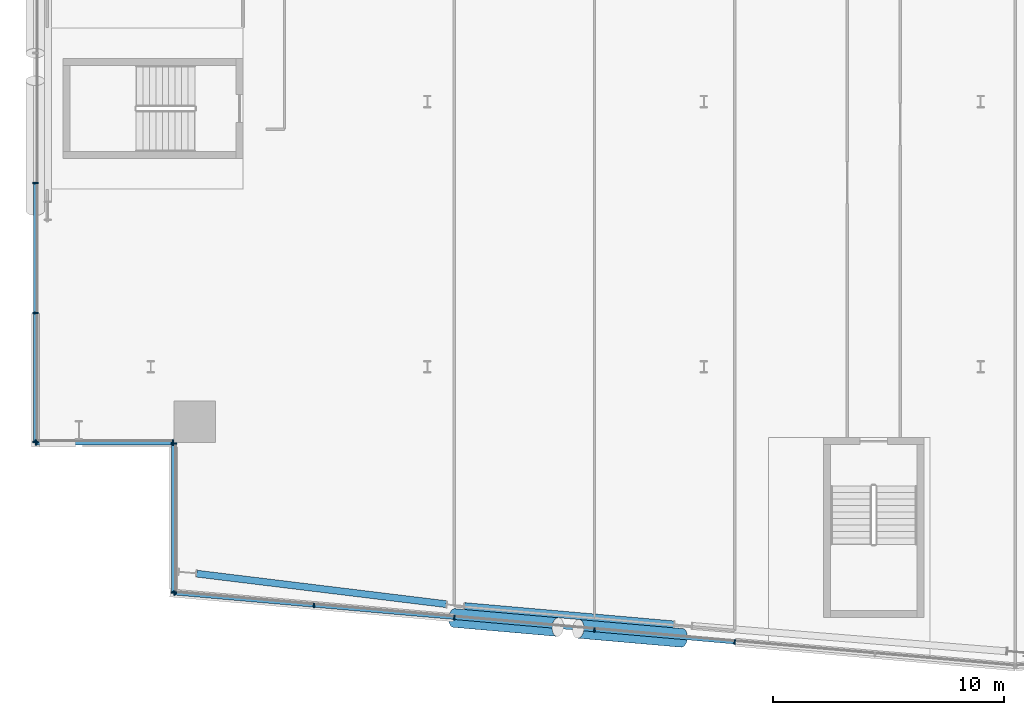
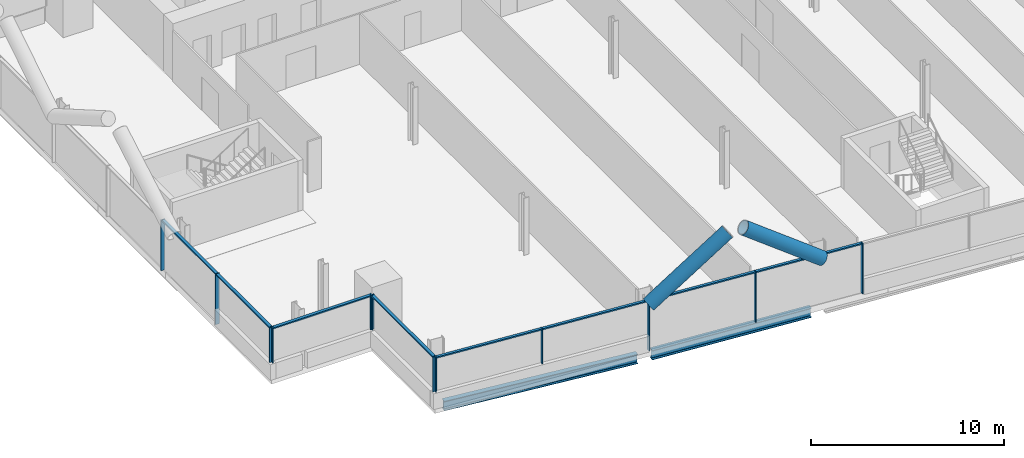
# One storey, part 5 of 25: 22 members, 2 beams, 4 elements without a shape of their own.
"""IFC4 building model written with IfcOpenShell, lengths in metres."""

from ifc_helpers import new_model, si_unit, direction, frame, origin, origin_2d, place, context, subcontext, project, spatial, rectangle, hollow_circle, i_section, extrude, material, material_profile, profile_set, type_object, element, aggregate, save


model = new_model("IFC4")

# Units and contexts
model_context = context("Model", 3, precision=1e-05, world=origin(), true_north=direction((0.0, 1.0)))
body_context = subcontext(model_context, "Body", "Model", "MODEL_VIEW")
ifc_project = project(units=[si_unit("LENGTHUNIT", "METRE"), si_unit("AREAUNIT", "SQUARE_METRE"), si_unit("VOLUMEUNIT", "CUBIC_METRE"), si_unit("PLANEANGLEUNIT", "RADIAN"), si_unit("MASSUNIT", "GRAM", prefix="KILO")], contexts=[model_context])

# Site, building, storey
site_placement = place(None, origin())
site = spatial("IfcSite", under=ifc_project, at=site_placement, CompositionType="ELEMENT")
building_placement = place(site_placement, origin())
building = spatial("IfcBuilding", under=site, at=building_placement, Name="Wharfspan Tower", CompositionType="ELEMENT")
storey_placement = place(building_placement, frame((0.0, 0.0, 121.899902)))
storey = spatial("IfcBuildingStorey", under=building, at=storey_placement, Name="L28", CompositionType="ELEMENT", Elevation=121.899902)

# Beams
ifc_material_1 = material(Name="Steel S355J2", Category="steel")
ifc_material_profile_1 = material_profile(ifc_material_1, i_section(OverallWidth=0.300049, OverallDepth=0.600098, WebThickness=0.015381, FlangeThickness=0.030029, FilletRadius=0.0271, at=origin_2d()))
ifc_profile_set_1 = profile_set([ifc_material_profile_1], Name="Steel S355J2")
beam_type = type_object("IfcBeamType", Name="Edge beam HEB 600", PredefinedType="SPANDREL", material=ifc_profile_set_1)
beam_1_placement = place(storey_placement, frame((13.990967, 2.520508, -0.699951), z_axis=(0.992611, -0.121342, 0.0), x_axis=(0.121342, 0.992611, 0.0)))
element("IfcBeam", 1, at=beam_1_placement, inside=storey, type_object=beam_type, Name="Edge beam S1 L28 PS1.1 to PS1.2", PredefinedType="SPANDREL", context=body_context, shape_type="SweptSolid", body=[
    extrude(i_section(OverallWidth=0.300049, OverallDepth=0.600098, WebThickness=0.015381, FlangeThickness=0.030029, FilletRadius=0.0271, at=origin_2d()), origin(), (0.0, 0.0, 1.0), 10.903076),
])
beam_2_placement = place(storey_placement, frame((25.615234, 1.113525, -0.699951), z_axis=(0.996195, -0.087151, 0.0), x_axis=(0.087151, 0.996195, 0.0)))
element("IfcBeam", 2, at=beam_2_placement, inside=storey, type_object=beam_type, Name="Edge beam S1 L28 PS1.2 to PS1.3", PredefinedType="SPANDREL", context=body_context, shape_type="SweptSolid", body=[
    extrude(i_section(OverallWidth=0.300049, OverallDepth=0.600098, WebThickness=0.015381, FlangeThickness=0.030029, FilletRadius=0.0271, at=origin_2d()), origin(), (0.0, 0.0, 1.0), 9.107178),
])

# Curtain wall, members
ifc_material_2 = material(Name="Aluminium 6063-T6", Category="aluminium")
curtain_wall_type_1 = type_object("IfcCurtainWallType", Name="CURTAIN WALL FACETED FRONT", PredefinedType="NOTDEFINED", material=ifc_material_2)
curtain_wall_1_placement = place(storey_placement, origin())
curtain_wall_1 = element("IfcCurtainWall", 3, at=curtain_wall_1_placement, inside=storey, type_object=curtain_wall_type_1, Name="Curtain wall S1", PredefinedType="NOTDEFINED")
ifc_material_profile_2 = material_profile(ifc_material_2, rectangle(XDim=0.199951, YDim=0.060059, at=origin_2d()))
ifc_profile_set_2 = profile_set([ifc_material_profile_2], Name="Aluminium 6063-T6")
member_type_1 = type_object("IfcMemberType", Name="MULLION FACETED FRONT 60x200", PredefinedType="MULLION", material=ifc_profile_set_2)
member_1_placement = place(storey_placement, frame((13.029785, 1.672363, 1.0), z_axis=(0.0, 0.0, 1.0), x_axis=(0.087156, 0.996198, 0.0)))
member_1 = element("IfcMember", 4, at=member_1_placement, type_object=member_type_1, Name="Curtain wall S1 mullion 1", PredefinedType="MULLION", context=body_context, shape_type="SweptSolid", body=[
    extrude(rectangle(XDim=0.199951, YDim=0.060059, at=origin_2d()), origin(), (0.0, 0.0, 1.0), 2.200195),
])
member_2_placement = place(storey_placement, frame((19.083252, 1.142822, 1.0), z_axis=(0.0, 0.0, 1.0), x_axis=(0.087156, 0.996198, 0.0)))
member_2 = element("IfcMember", 5, at=member_2_placement, type_object=member_type_1, Name="Curtain wall S1 mullion 2", PredefinedType="MULLION", context=body_context, shape_type="SweptSolid", body=[
    extrude(rectangle(XDim=0.199951, YDim=0.060059, at=origin_2d()), origin(), (0.0, 0.0, 1.0), 2.200195),
])
member_3_placement = place(storey_placement, frame((25.166748, 0.610596, 0.0), z_axis=(0.0, 0.0, 1.0), x_axis=(0.087156, 0.996198, 0.0)))
member_3 = element("IfcMember", 6, at=member_3_placement, type_object=member_type_1, Name="Curtain wall S1 mullion 3", PredefinedType="MULLION", context=body_context, shape_type="SweptSolid", body=[
    extrude(rectangle(XDim=0.199951, YDim=0.060059, at=origin_2d()), origin(), (0.0, 0.0, 1.0), 3.200195),
])
member_4_placement = place(storey_placement, frame((31.25, 0.078369, 0.0), z_axis=(0.0, 0.0, 1.0), x_axis=(0.087156, 0.996198, 0.0)))
member_4 = element("IfcMember", 7, at=member_4_placement, type_object=member_type_1, Name="Curtain wall S1 mullion 4", PredefinedType="MULLION", context=body_context, shape_type="SweptSolid", body=[
    extrude(rectangle(XDim=0.199951, YDim=0.060059, at=origin_2d()), origin(), (0.0, 0.0, 1.0), 3.200195),
])
member_5_placement = place(storey_placement, frame((37.333252, -0.453857, 0.0), z_axis=(0.0, 0.0, 1.0), x_axis=(0.087156, 0.996198, 0.0)))
member_5 = element("IfcMember", 8, at=member_5_placement, type_object=member_type_1, Name="Curtain wall S1 mullion 5", PredefinedType="MULLION", context=body_context, shape_type="SweptSolid", body=[
    extrude(rectangle(XDim=0.199951, YDim=0.060059, at=origin_2d()), origin(), (0.0, 0.0, 1.0), 3.200195),
])

curtain_wall_type_2 = type_object("IfcCurtainWallType", Name="CURTAIN WALL PROW AND END", PredefinedType="NOTDEFINED", material=ifc_material_2)
curtain_wall_2_placement = place(storey_placement, origin())
curtain_wall_2 = element("IfcCurtainWall", 9, at=curtain_wall_2_placement, inside=storey, type_object=curtain_wall_type_2, Name="Curtain wall W", PredefinedType="NOTDEFINED")
ifc_material_profile_3 = material_profile(ifc_material_2, rectangle(XDim=0.23999, YDim=0.060059, at=origin_2d()))
ifc_profile_set_3 = profile_set([ifc_material_profile_3], Name="Aluminium 6063-T6")
member_type_2 = type_object("IfcMemberType", Name="MULLION PROW AND END 60x240", PredefinedType="MULLION", material=ifc_profile_set_3)
member_6_placement = place(storey_placement, frame((7.0, 19.466553, 0.0), z_axis=(0.0, 0.0, 1.0), x_axis=(1.0, 0.0, 0.0)))
member_6 = element("IfcMember", 10, at=member_6_placement, type_object=member_type_2, Name="Curtain wall W mullion 5", PredefinedType="MULLION", context=body_context, shape_type="SweptSolid", body=[
    extrude(rectangle(XDim=0.23999, YDim=0.060059, at=origin_2d()), origin(), (0.0, 0.0, 1.0), 3.200195),
])
member_7_placement = place(storey_placement, frame((7.0, 13.833252, 0.0), z_axis=(0.0, 0.0, 1.0), x_axis=(1.0, 0.0, 0.0)))
member_7 = element("IfcMember", 11, at=member_7_placement, type_object=member_type_2, Name="Curtain wall W mullion 6", PredefinedType="MULLION", context=body_context, shape_type="SweptSolid", body=[
    extrude(rectangle(XDim=0.23999, YDim=0.060059, at=origin_2d()), origin(), (0.0, 0.0, 1.0), 3.200195),
])
member_8_placement = place(storey_placement, frame((7.0, 8.22998, 1.0), z_axis=(0.0, 0.0, 1.0), x_axis=(1.0, 0.0, 0.0)))
member_8 = element("IfcMember", 12, at=member_8_placement, type_object=member_type_2, Name="Curtain wall W mullion 7", PredefinedType="MULLION", context=body_context, shape_type="SweptSolid", body=[
    extrude(rectangle(XDim=0.23999, YDim=0.060059, at=origin_2d()), origin(), (0.0, 0.0, 1.0), 2.200195),
])

curtain_wall_3_placement = place(storey_placement, origin())
curtain_wall_3 = element("IfcCurtainWall", 13, at=curtain_wall_3_placement, inside=storey, type_object=curtain_wall_type_2, Name="Curtain wall NFW-H", PredefinedType="NOTDEFINED")
member_9_placement = place(storey_placement, frame((7.030029, 8.199951, 1.0), z_axis=(0.0, 0.0, 1.0), x_axis=(0.0, 1.0, 0.0)))
member_9 = element("IfcMember", 14, at=member_9_placement, type_object=member_type_2, Name="Curtain wall NFW-H mullion 1", PredefinedType="MULLION", context=body_context, shape_type="SweptSolid", body=[
    extrude(rectangle(XDim=0.23999, YDim=0.060059, at=origin_2d()), origin(), (0.0, 0.0, 1.0), 2.200195),
])
member_10_placement = place(storey_placement, frame((12.969971, 8.199951, 1.0), z_axis=(0.0, 0.0, 1.0), x_axis=(0.0, 1.0, 0.0)))
member_10 = element("IfcMember", 15, at=member_10_placement, type_object=member_type_2, Name="Curtain wall NFW-H mullion 2", PredefinedType="MULLION", context=body_context, shape_type="SweptSolid", body=[
    extrude(rectangle(XDim=0.23999, YDim=0.060059, at=origin_2d()), origin(), (0.0, 0.0, 1.0), 2.200195),
])

curtain_wall_4_placement = place(storey_placement, origin())
curtain_wall_4 = element("IfcCurtainWall", 16, at=curtain_wall_4_placement, inside=storey, type_object=curtain_wall_type_2, Name="Curtain wall NFW-V", PredefinedType="NOTDEFINED")
member_11_placement = place(storey_placement, frame((13.0, 8.169922, 1.0), z_axis=(0.0, 0.0, 1.0), x_axis=(1.0, 0.0, 0.0)))
member_11 = element("IfcMember", 17, at=member_11_placement, type_object=member_type_2, Name="Curtain wall NFW-V mullion 1", PredefinedType="MULLION", context=body_context, shape_type="SweptSolid", body=[
    extrude(rectangle(XDim=0.23999, YDim=0.060059, at=origin_2d()), origin(), (0.0, 0.0, 1.0), 2.200195),
])
member_12_placement = place(storey_placement, frame((13.0, 1.705078, 1.0), z_axis=(0.0, 0.0, 1.0), x_axis=(1.0, 0.0, 0.0)))
member_12 = element("IfcMember", 18, at=member_12_placement, type_object=member_type_2, Name="Curtain wall NFW-V mullion 2", PredefinedType="MULLION", context=body_context, shape_type="SweptSolid", body=[
    extrude(rectangle(XDim=0.23999, YDim=0.060059, at=origin_2d()), origin(), (0.0, 0.0, 1.0), 2.200195),
])

# Members
ifc_material_3 = material(Name="Steel S460NH", Category="steel")
ifc_material_profile_4 = material_profile(ifc_material_3, hollow_circle(Radius=0.406494, WallThickness=0.040039, at=origin_2d()))
ifc_profile_set_4 = profile_set([ifc_material_profile_4], Name="Steel S460NH")
member_type_3 = type_object("IfcMemberType", Name="Mega brace CHS 813x40", PredefinedType="BRACE", material=ifc_profile_set_4)
member_13_placement = place(storey_placement, frame((25.165283, 0.595703, 2.900146), z_axis=(0.806051, -0.070528, 0.587629), x_axis=(0.087168, 0.996193, -4e-06)))
element("IfcMember", 19, at=member_13_placement, inside=storey, type_object=member_type_3, Name="Mega brace S1 L29 part 1", PredefinedType="BRACE", context=body_context, shape_type="SweptSolid", body=[
    extrude(hollow_circle(Radius=0.406494, WallThickness=0.040039, at=origin_2d()), origin(), (0.0, 0.0, 1.0), 5.569824),
])
member_14_placement = place(storey_placement, frame((35.040771, -0.268311, 2.900146), z_axis=(-0.806035, 0.07053, 0.58765), x_axis=(-0.087168, -0.996195, 2e-06)))
element("IfcMember", 20, at=member_14_placement, inside=storey, type_object=member_type_3, Name="Mega brace S1 L29 part 3", PredefinedType="BRACE", context=body_context, shape_type="SweptSolid", body=[
    extrude(hollow_circle(Radius=0.406494, WallThickness=0.040039, at=origin_2d()), origin(), (0.0, 0.0, 1.0), 5.56958),
])

# Member
ifc_material_profile_5 = material_profile(ifc_material_2, rectangle(XDim=0.159912, YDim=0.080078, at=origin_2d()))
ifc_profile_set_5 = profile_set([ifc_material_profile_5], Name="Aluminium 6063-T6")
member_type_4 = type_object("IfcMemberType", Name="TRANSOM FACETED FRONT 80x160", PredefinedType="USERDEFINED", material=ifc_profile_set_5)
member_15_placement = place(storey_placement, frame((13.059814, 1.669922, 3.160156), z_axis=(0.996194, -0.087162, 0.0), x_axis=(0.087162, 0.996194, 0.0)))
member_15 = element("IfcMember", 21, at=member_15_placement, type_object=member_type_4, Name="Curtain wall S1 transom 1", ObjectType="TRANSOM", PredefinedType="USERDEFINED", context=body_context, shape_type="SweptSolid", body=[
    extrude(rectangle(XDim=0.159912, YDim=0.080078, at=origin_2d()), origin(), (0.0, 0.0, 1.0), 6.016602),
])

member_16_placement = place(storey_placement, frame((19.113281, 1.140137, 3.160156), z_axis=(0.996197, -0.087135, 0.0), x_axis=(0.087135, 0.996197, 0.0)))
member_16 = element("IfcMember", 22, at=member_16_placement, type_object=member_type_4, Name="Curtain wall S1 transom 2", ObjectType="TRANSOM", PredefinedType="USERDEFINED", context=body_context, shape_type="SweptSolid", body=[
    extrude(rectangle(XDim=0.159912, YDim=0.080078, at=origin_2d()), origin(), (0.0, 0.0, 1.0), 6.046387),
])

member_17_placement = place(storey_placement, frame((25.196533, 0.60791, 3.160156), z_axis=(0.996197, -0.087131, 0.0), x_axis=(0.087131, 0.996197, 0.0)))
member_17 = element("IfcMember", 23, at=member_17_placement, type_object=member_type_4, Name="Curtain wall S1 transom 3", ObjectType="TRANSOM", PredefinedType="USERDEFINED", context=body_context, shape_type="SweptSolid", body=[
    extrude(rectangle(XDim=0.159912, YDim=0.080078, at=origin_2d()), origin(), (0.0, 0.0, 1.0), 6.046631),
])

member_18_placement = place(storey_placement, frame((31.279785, 0.075684, 3.160156), z_axis=(0.996197, -0.087131, 0.0), x_axis=(0.087131, 0.996197, 0.0)))
member_18 = element("IfcMember", 24, at=member_18_placement, type_object=member_type_4, Name="Curtain wall S1 transom 4", ObjectType="TRANSOM", PredefinedType="USERDEFINED", context=body_context, shape_type="SweptSolid", body=[
    extrude(rectangle(XDim=0.159912, YDim=0.080078, at=origin_2d()), origin(), (0.0, 0.0, 1.0), 6.046631),
])

aggregate(curtain_wall_1, [member_1, member_2, member_3, member_4, member_5, member_15, member_16, member_17, member_18])

ifc_material_profile_6 = material_profile(ifc_material_2, rectangle(XDim=0.179932, YDim=0.080078, at=origin_2d()))
ifc_profile_set_6 = profile_set([ifc_material_profile_6], Name="Aluminium 6063-T6")
member_type_5 = type_object("IfcMemberType", Name="TRANSOM PROW AND END 80x180", PredefinedType="USERDEFINED", material=ifc_profile_set_6)
member_19_placement = place(storey_placement, frame((7.0, 19.436768, 3.160156), z_axis=(0.0, -1.0, 0.0), x_axis=(1.0, 0.0, 0.0)))
member_19 = element("IfcMember", 25, at=member_19_placement, type_object=member_type_5, Name="Curtain wall W transom 5", ObjectType="TRANSOM", PredefinedType="USERDEFINED", context=body_context, shape_type="SweptSolid", body=[
    extrude(rectangle(XDim=0.179932, YDim=0.080078, at=origin_2d()), origin(), (0.0, 0.0, 1.0), 5.573486),
])

member_20_placement = place(storey_placement, frame((7.0, 13.803223, 3.160156), z_axis=(0.0, -1.0, 0.0), x_axis=(1.0, 0.0, 0.0)))
member_20 = element("IfcMember", 26, at=member_20_placement, type_object=member_type_5, Name="Curtain wall W transom 6", ObjectType="TRANSOM", PredefinedType="USERDEFINED", context=body_context, shape_type="SweptSolid", body=[
    extrude(rectangle(XDim=0.179932, YDim=0.080078, at=origin_2d()), origin(), (0.0, 0.0, 1.0), 5.543213),
])

aggregate(curtain_wall_2, [member_6, member_7, member_8, member_19, member_20])

member_21_placement = place(storey_placement, frame((7.060059, 8.199951, 3.160156), z_axis=(1.0, 0.0, 0.0), x_axis=(0.0, 1.0, 0.0)))
member_21 = element("IfcMember", 27, at=member_21_placement, type_object=member_type_5, Name="Curtain wall NFW-H transom 1", ObjectType="TRANSOM", PredefinedType="USERDEFINED", context=body_context, shape_type="SweptSolid", body=[
    extrude(rectangle(XDim=0.179932, YDim=0.080078, at=origin_2d()), origin(), (0.0, 0.0, 1.0), 5.879883),
])

aggregate(curtain_wall_3, [member_9, member_10, member_21])

member_22_placement = place(storey_placement, frame((13.0, 8.139893, 3.160156), z_axis=(0.0, -1.0, 0.0), x_axis=(1.0, 0.0, 0.0)))
member_22 = element("IfcMember", 28, at=member_22_placement, type_object=member_type_5, Name="Curtain wall NFW-V transom 1", ObjectType="TRANSOM", PredefinedType="USERDEFINED", context=body_context, shape_type="SweptSolid", body=[
    extrude(rectangle(XDim=0.179932, YDim=0.080078, at=origin_2d()), origin(), (0.0, 0.0, 1.0), 6.404785),
])

aggregate(curtain_wall_4, [member_11, member_12, member_22])

save(model, "model.ifc")
